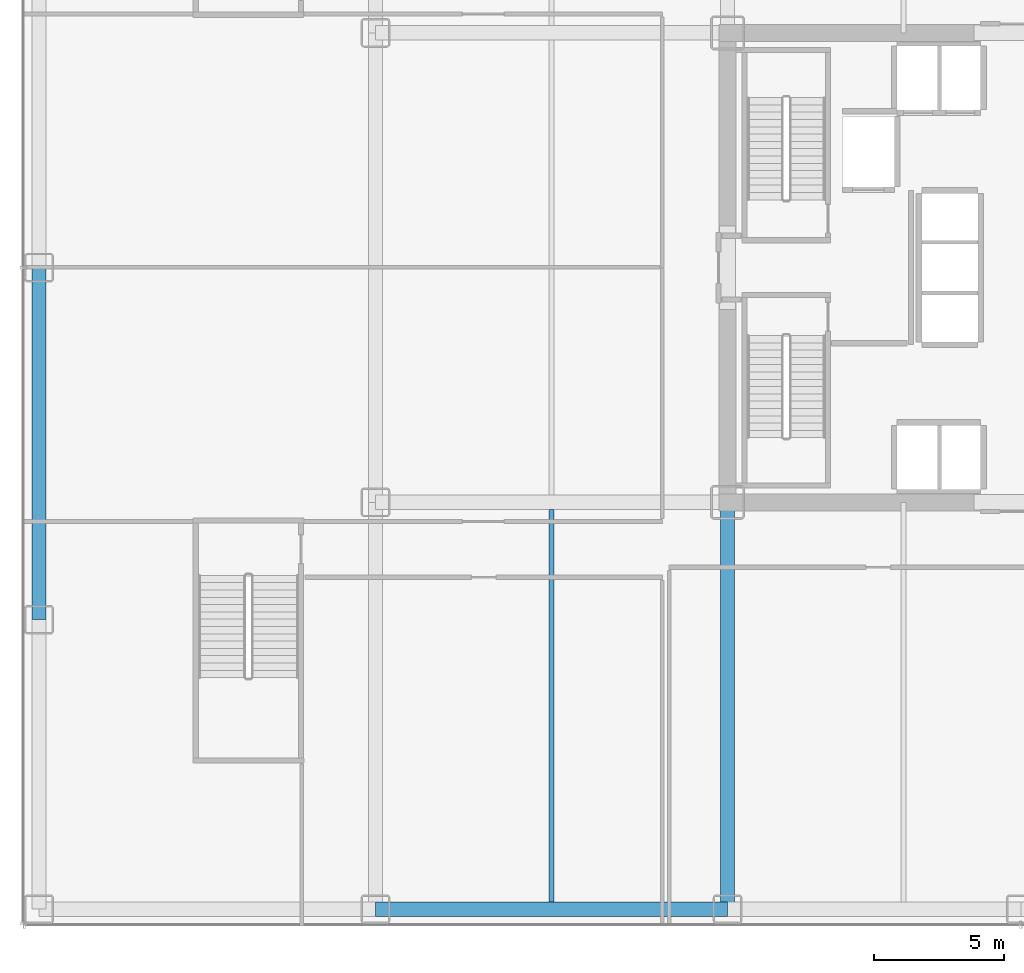
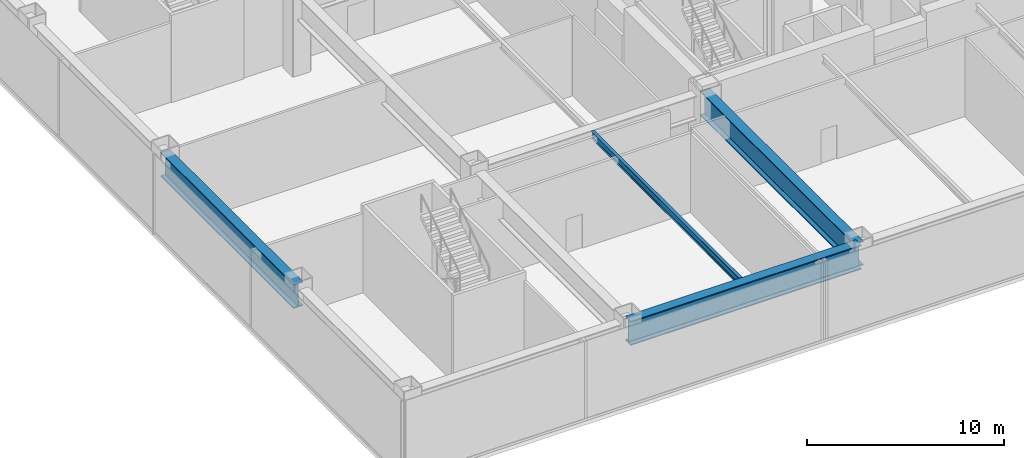
# One storey, part 3 of 24: 4 beams.
"""IFC4 building model written with IfcOpenShell, lengths in metres."""

from ifc_helpers import new_model, si_unit, direction, frame, origin, origin_2d, place, context, subcontext, project, spatial, i_section, extrude, source, transform, mapped, material, material_profile, profile_set, type_object, element, save


model = new_model("IFC4")

# Units and contexts
model_context = context("Model", 3, precision=1e-05, world=origin(), true_north=direction((0.0, 1.0)))
body_context = subcontext(model_context, "Body", "Model", "MODEL_VIEW")
ifc_project = project(units=[si_unit("LENGTHUNIT", "METRE"), si_unit("AREAUNIT", "SQUARE_METRE"), si_unit("VOLUMEUNIT", "CUBIC_METRE"), si_unit("PLANEANGLEUNIT", "RADIAN"), si_unit("MASSUNIT", "GRAM", prefix="KILO")], contexts=[model_context])

# Site, building, storey
site_placement = place(None, origin())
site = spatial("IfcSite", under=ifc_project, at=site_placement, CompositionType="ELEMENT")
building_placement = place(site_placement, origin())
building = spatial("IfcBuilding", under=site, at=building_placement, Name="Nefas-Gora Pilgrimage Tower", CompositionType="ELEMENT")
storey_placement = place(building_placement, frame((0.0, 0.0, 22.199951171875)))
storey = spatial("IfcBuildingStorey", under=building, at=storey_placement, Name="L04", CompositionType="ELEMENT", Elevation=22.199951171875)

# Beams
ifc_material_1 = material(Name="Steel S460", Category="steel")
ifc_material_profile_1 = material_profile(ifc_material_1, i_section(OverallWidth=0.550048828125, OverallDepth=1.5, WebThickness=0.031982421875, FlangeThickness=0.06005859375, FilletRadius=0.02392578125, at=origin_2d()), Name="WPG 1500x550x32x60")
ifc_profile_set_1 = profile_set([ifc_material_profile_1], Name="Steel S460")
beam_type_1 = type_object("IfcBeamType", Name="BM-TR-1500E", PredefinedType="BEAM", material=ifc_profile_set_1)
shared_shape_1 = source(origin(), body_context, "Body", "SweptSolid", [
    extrude(i_section(OverallWidth=0.550048828125, OverallDepth=1.5, WebThickness=0.031982421875, FlangeThickness=0.06005859375, FilletRadius=0.02392578125, at=origin_2d()), origin(), (0.0, 0.0, 1.0), 13.5),
])
for number, where, z_axis, x_axis, name in (
    (1, (-24.75, -24.60009765625, 4.170166015625), (1.0, 0.0, 0.0), (0.0, 1.0, 0.0), "L04 TB-01E beam"),
    (2, (-37.64990234375, -13.5, 4.170166015625), (0.0, 1.0, 0.0), (-1.0, 0.0, 0.0), "L04 TB-01E beam"),
):
    element("IfcBeam", number, at=place(storey_placement, frame(where, z_axis=z_axis, x_axis=x_axis)), inside=storey, type_object=beam_type_1, Name=name, PredefinedType="BEAM", context=body_context, shape_type="MappedRepresentation", body=[
        mapped(shared_shape_1, transform((0.0, 0.0, 0.0), x_axis=(1.0, 0.0, 0.0), y_axis=(0.0, 1.0, 0.0), z_axis=(0.0, 0.0, 1.0), scale=1.0)),
    ])
ifc_material_profile_2 = material_profile(ifc_material_1, i_section(OverallWidth=0.550048828125, OverallDepth=1.5, WebThickness=0.031982421875, FlangeThickness=0.06005859375, FilletRadius=0.02392578125, at=origin_2d()), Name="WPG 1500x550x32x60")
ifc_profile_set_2 = profile_set([ifc_material_profile_2], Name="Steel S460")
beam_type_2 = type_object("IfcBeamType", Name="BM-TR-1500", PredefinedType="BEAM", material=ifc_profile_set_2)
shared_shape_2 = source(origin(), body_context, "Body", "SweptSolid", [
    extrude(i_section(OverallWidth=0.550048828125, OverallDepth=1.5, WebThickness=0.031982421875, FlangeThickness=0.06005859375, FilletRadius=0.02392578125, at=origin_2d()), origin(), (0.0, 0.0, 1.0), 15.60009765625),
])
beam_1_placement = place(storey_placement, frame((-11.25, -24.60009765625, 4.170166015625), z_axis=(0.0, 1.0, 0.0), x_axis=(-1.0, 0.0, 0.0)))
element("IfcBeam", 3, at=beam_1_placement, inside=storey, type_object=beam_type_2, Name="L04 TB-01 beam", PredefinedType="BEAM", context=body_context, shape_type="MappedRepresentation", body=[
    mapped(shared_shape_2, transform((0.0, 0.0, 0.0), x_axis=(1.0, 0.0, 0.0), y_axis=(0.0, 1.0, 0.0), z_axis=(0.0, 0.0, 1.0), scale=1.0)),
])
ifc_material_2 = material(Name="Steel S355", Category="steel")
ifc_material_profile_3 = material_profile(ifc_material_2, i_section(OverallWidth=0.18994140625, OverallDepth=0.449951171875, WebThickness=0.009521484375, FlangeThickness=0.0146484375, FilletRadius=0.02099609375, at=origin_2d()), Name="IPE 450")
ifc_profile_set_3 = profile_set([ifc_material_profile_3], Name="Steel S355")
beam_type_3 = type_object("IfcBeamType", Name="BM-JST-IPE450", PredefinedType="JOIST", material=ifc_profile_set_3)
shared_shape_3 = source(origin(), body_context, "Body", "SweptSolid", [
    extrude(i_section(OverallWidth=0.18994140625, OverallDepth=0.449951171875, WebThickness=0.009521484375, FlangeThickness=0.0146484375, FilletRadius=0.02099609375, at=origin_2d()), origin(), (0.0, 0.0, 1.0), 15.0380859375),
])
beam_2_placement = place(storey_placement, frame((-18.0, -24.319091796875, 4.695068359375), z_axis=(0.0, 1.0, 0.0), x_axis=(-1.0, 0.0, 0.0)))
element("IfcBeam", 4, at=beam_2_placement, inside=storey, type_object=beam_type_3, Name="L04 J-01 beam", PredefinedType="JOIST", context=body_context, shape_type="MappedRepresentation", body=[
    mapped(shared_shape_3, transform((0.0, 0.0, 0.0), x_axis=(1.0, 0.0, 0.0), y_axis=(0.0, 1.0, 0.0), z_axis=(0.0, 0.0, 1.0), scale=1.0)),
])

save(model, "model.ifc")
